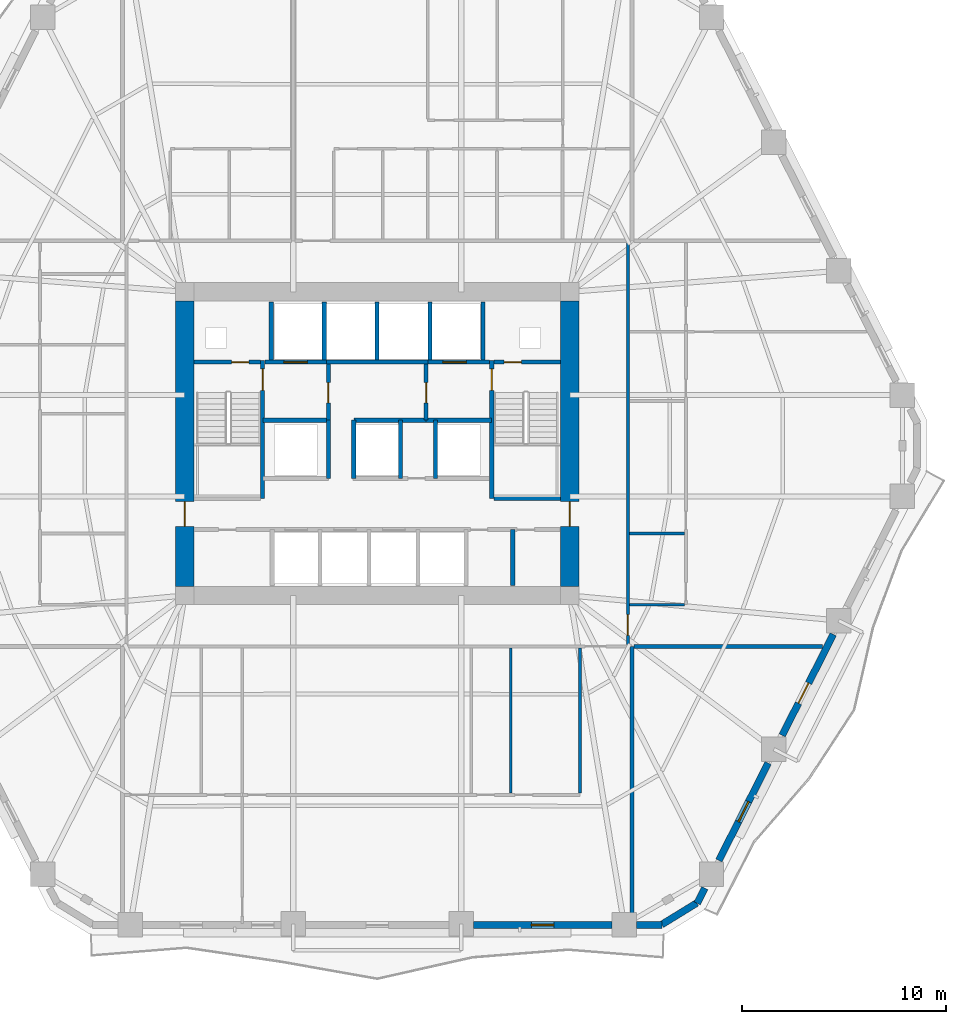
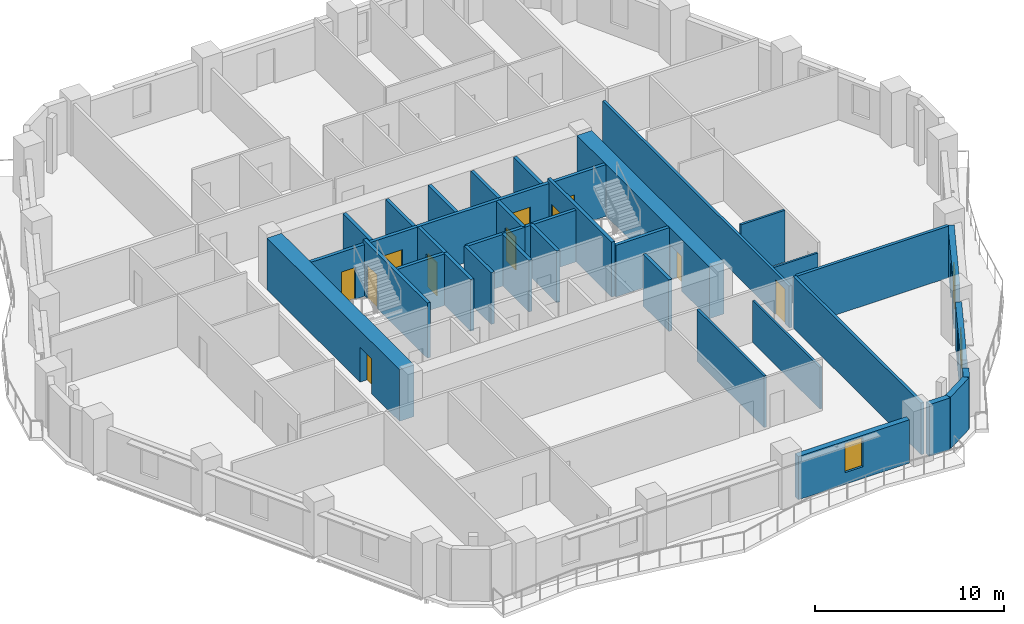
# One storey, part 5 of 13: 38 walls, 12 doors, 2 windows, 14 openings.
"""IFC4 building model written with IfcOpenShell, lengths in metres."""

import ifcopenshell
import ifcopenshell.guid

model = None  # the IFC model being written
_history = None  # IfcOwnerHistory: only IFC2X3 demands one
_inside = {}  # id of a spatial element -> (the spatial element, [elements in it])
_under = {}  # id of a project, library or spatial element -> (it, [spatial elements below it])
_declared = {}  # id of a project -> (the project, [libraries it declares])
_typed = {}  # id of a type object -> (the type object, [elements of that type])
_made_of = {}  # id of a material, layer set ... -> (it, [elements and type objects made of it])


def new_model(schema):
    """Start an empty IFC model of exactly this schema.

    Asked for "IFC4X3", IfcOpenShell would pick the latest addendum, in which some entities
    have other attributes; the version numbers below select the first issue.
    IFC2X3 requires an IfcOwnerHistory on every rooted entity: one is made here for all.
    """
    global model, _history
    if schema == "IFC4X3":
        model = ifcopenshell.file(schema_version=(4, 3, 0, 0))
    else:
        model = ifcopenshell.file(schema=schema)
    _inside.clear()
    _under.clear()
    _declared.clear()
    _typed.clear()
    _made_of.clear()
    _history = None
    if model.schema == "IFC2X3":
        org = make("IfcOrganization", Name="unknown")
        user = make(
            "IfcPersonAndOrganization",
            ThePerson=make("IfcPerson", FamilyName="unknown"),
            TheOrganization=org,
        )
        app = make(
            "IfcApplication",
            ApplicationDeveloper=org,
            Version="unknown",
            ApplicationFullName="unknown",
            ApplicationIdentifier="unknown",
        )
        _history = make(
            "IfcOwnerHistory",
            OwningUser=user,
            OwningApplication=app,
            ChangeAction="ADDED",
            CreationDate=0,
        )
    return model


def make(cls, **values):
    """One entity of the class cls with the attributes given. An attribute that is None is left unset."""
    return model.create_entity(
        cls, **{name: value for name, value in values.items() if value is not None}
    )


def rooted(cls, **values):
    """An entity with a GlobalId (a new one), such as an element, a storey or a relation."""
    return make(cls, GlobalId=ifcopenshell.guid.new(), OwnerHistory=_history, **values)


def si_unit(unit_type, name, prefix=None):
    """IfcSIUnit, for example si_unit("LENGTHUNIT", "METRE", prefix="MILLI")."""
    return make("IfcSIUnit", UnitType=unit_type, Prefix=prefix, Name=name)


def assignment(units):
    """IfcUnitAssignment: the units of a project."""
    return None if units is None else make("IfcUnitAssignment", Units=units)


def point(xyz):
    """IfcCartesianPoint."""
    return None if xyz is None else make("IfcCartesianPoint", Coordinates=xyz)


def direction(xyz):
    """IfcDirection."""
    return None if xyz is None else make("IfcDirection", DirectionRatios=xyz)


def frame(location, z_axis=None, x_axis=None):
    """IfcAxis2Placement3D, a coordinate frame: its origin and axes. An axis left out is left unset."""
    return make(
        "IfcAxis2Placement3D",
        Location=point(location),
        Axis=direction(z_axis),
        RefDirection=direction(x_axis),
    )


def frame_2d(location, x_axis=None):
    """IfcAxis2Placement2D, a coordinate frame in the plane: its origin and x axis."""
    return make(
        "IfcAxis2Placement2D", Location=point(location), RefDirection=direction(x_axis)
    )


def origin():
    """The frame at (0, 0, 0) with its axes left unset."""
    return frame((0.0, 0.0, 0.0))


def place(relative_to, where):
    """IfcLocalPlacement: puts the frame where relative to a parent placement (None: the world)."""
    return make(
        "IfcLocalPlacement", PlacementRelTo=relative_to, RelativePlacement=where
    )


def context(
    kind, dimensions, precision=None, world=None, true_north=None, identifier=None
):
    """IfcGeometricRepresentationContext, for example the 3D "Model" context."""
    return make(
        "IfcGeometricRepresentationContext",
        ContextIdentifier=identifier,
        ContextType=kind,
        CoordinateSpaceDimension=dimensions,
        Precision=precision,
        WorldCoordinateSystem=world,
        TrueNorth=true_north,
    )


def subcontext(parent, identifier, kind, view, scale=None):
    """IfcGeometricRepresentationSubContext, for example "Body" below "Model"."""
    return make(
        "IfcGeometricRepresentationSubContext",
        ContextIdentifier=identifier,
        ContextType=kind,
        ParentContext=parent,
        TargetScale=scale,
        TargetView=view,
    )


def project(units=None, contexts=None):
    """IfcProject with its units and contexts."""
    return rooted(
        "IfcProject",
        Name="project",
        RepresentationContexts=contexts,
        UnitsInContext=assignment(units),
    )


def spatial(cls, under=None, at=None, **own):
    """A site, building, storey or space (cls), placed at a placement, below another one or the project."""
    s = rooted(cls, ObjectPlacement=at, **own)
    if under is not None:
        _under.setdefault(under.id(), (under, []))[1].append(s)
    return s


def profile(cls, at=None, kind="AREA", **sizes):
    """A parametric profile (cls). Its sizes go by their IFC names, for example OverallWidth=200.0."""
    return make(cls, ProfileType=kind, Position=at, **sizes)


def rectangle(**sizes):
    """IfcRectangleProfileDef."""
    return profile("IfcRectangleProfileDef", **sizes)


def extrude(swept, where, along, depth):
    """IfcExtrudedAreaSolid: the profile swept, set in the frame where, extruded along a direction by depth."""
    return make(
        "IfcExtrudedAreaSolid",
        SweptArea=swept,
        Position=where,
        ExtrudedDirection=direction(along),
        Depth=depth,
    )


def shape(context_of_items, identifier, shape_type, items):
    """IfcShapeRepresentation: the items that make up one representation, for example the "Body"."""
    return make(
        "IfcShapeRepresentation",
        ContextOfItems=context_of_items,
        RepresentationIdentifier=identifier,
        RepresentationType=shape_type,
        Items=items,
    )


def material(Name=None, Category=None):
    """IfcMaterial."""
    return make("IfcMaterial", Name=Name, Category=Category)


def layer(
    of_material, thickness, ventilated=None, Name=None, Category=None, Priority=None
):
    """IfcMaterialLayer: one layer of a wall or slab, of a material (None: an air gap)."""
    return make(
        "IfcMaterialLayer",
        Material=of_material,
        LayerThickness=thickness,
        IsVentilated=ventilated,
        Name=Name,
        Category=Category,
        Priority=Priority,
    )


def layer_set(layers, Name=None):
    """IfcMaterialLayerSet."""
    return make("IfcMaterialLayerSet", MaterialLayers=layers, LayerSetName=Name)


def made_of(thing, what):
    """Note that an element or type object is made of a material, layer set ...; save() writes the relation."""
    if what is not None:
        _made_of.setdefault(what.id(), (what, []))[1].append(thing)
    return thing


def type_object(cls, material=None, **own):
    """A type object (cls), such as IfcWallType, which elements share."""
    return made_of(rooted(cls, **own), material)


def element(
    cls,
    number,
    at=None,
    inside=None,
    cuts=None,
    type_object=None,
    material=None,
    context=None,
    identifier="Body",
    shape_type=None,
    held_by="IfcProductDefinitionShape",
    body=None,
    shapes=None,
    **own,
):
    """One element of the class cls, such as IfcWall. Its Tag is "e" and its number.

    at: its placement. inside: the storey or other place that contains it. cuts: it is an
    opening in that element (IfcRelVoidsElement). A single representation is given by context,
    identifier, shape_type and body (its items); several are given by shapes. held_by: the class
    of the entity that holds the representations. save() writes the other relations.
    """
    e = rooted(cls, Tag="e%d" % number, ObjectPlacement=at, **own)
    if body is not None:
        shapes = [shape(context, identifier, shape_type, body)]
    if shapes is not None:
        e.Representation = make(held_by, Representations=shapes)
    if inside is not None:
        _inside.setdefault(inside.id(), (inside, []))[1].append(e)
    if cuts is not None:
        rooted(
            "IfcRelVoidsElement", RelatingBuildingElement=cuts, RelatedOpeningElement=e
        )
    if type_object is not None:
        _typed.setdefault(type_object.id(), (type_object, []))[1].append(e)
    return made_of(e, material)


def fill(opening, filler):
    """IfcRelFillsElement: the door or window that sits in an opening."""
    return rooted(
        "IfcRelFillsElement",
        RelatingOpeningElement=opening,
        RelatedBuildingElement=filler,
    )


def aggregate(whole, parts):
    """IfcRelAggregates: a whole, such as a stair, and the parts it consists of."""
    return rooted("IfcRelAggregates", RelatingObject=whole, RelatedObjects=parts)


def save(model, path):
    """Write the relations noted so far, then the file.

    IfcRelAggregates (storeys below a building ...), IfcRelContainedInSpatialStructure (elements
    in a storey), IfcRelDefinesByType, IfcRelAssociatesMaterial and IfcRelDeclares: one each for
    every whole, place, type object, material and project.
    """
    for whole, parts in _under.values():
        aggregate(whole, parts)
    for where, things in _inside.values():
        rooted(
            "IfcRelContainedInSpatialStructure",
            RelatedElements=things,
            RelatingStructure=where,
        )
    for kind, things in _typed.values():
        rooted("IfcRelDefinesByType", RelatedObjects=things, RelatingType=kind)
    for what, things in _made_of.values():
        rooted("IfcRelAssociatesMaterial", RelatedObjects=things, RelatingMaterial=what)
    for by, libraries in _declared.values():
        rooted("IfcRelDeclares", RelatingContext=by, RelatedDefinitions=libraries)
    model.write(path)


model = new_model("IFC4")

# Units and contexts
model_context = context("Model", 3, precision=1e-05, world=origin(), true_north=direction((0.0, 1.0)))
body_context = subcontext(model_context, "Body", "Model", "MODEL_VIEW")
ifc_project = project(units=[si_unit("LENGTHUNIT", "METRE"), si_unit("AREAUNIT", "SQUARE_METRE"), si_unit("VOLUMEUNIT", "CUBIC_METRE"), si_unit("PLANEANGLEUNIT", "RADIAN"), si_unit("MASSUNIT", "GRAM", prefix="KILO")], contexts=[model_context])

# Site, building, storey
site_placement = place(None, origin())
site = spatial("IfcSite", under=ifc_project, at=site_placement, CompositionType="ELEMENT")
building_placement = place(site_placement, origin())
building = spatial("IfcBuilding", under=site, at=building_placement, Name="Cinnabar Lancet Tower", CompositionType="ELEMENT")
storey_placement = place(building_placement, frame((0.0, 0.0, 49.75)))
storey = spatial("IfcBuildingStorey", under=building, at=storey_placement, Name="L12", CompositionType="ELEMENT", Elevation=49.75)

# Wall, opening, door
ifc_material_1 = material(Name="Acoustic twin-stud gypsum partition", Category="gypsum")
ifc_layer_1 = layer(ifc_material_1, 0.159912109375)
ifc_layer_set_1 = layer_set([ifc_layer_1], Name="Acoustic twin-stud gypsum partition")
wall_type_1 = type_object("IfcWallType", Name="ARC-WL-CORR-160", PredefinedType="PARTITIONING", material=ifc_layer_set_1)
wall_1_placement = place(storey_placement, frame((44.699951171875, 16.044921875, 0.0), z_axis=(0.0, 0.0, 1.0), x_axis=(0.0, 1.0, 0.0)))
wall_1 = element("IfcWall", 1, at=wall_1_placement, inside=storey, type_object=wall_type_1, Name="UW-L12-E01-COR", PredefinedType="PARTITIONING", context=body_context, shape_type="SweptSolid", body=[
    extrude(rectangle(XDim=19.7099609375, YDim=0.159912109375, at=frame_2d((9.85498046875, 0.0))), origin(), (0.0, 0.0, 1.0), 2.699951171875),
])
opening_1_placement = place(wall_1_placement, frame((0.449951171875, 0.0, 0.0)))
opening_1 = element("IfcOpeningElement", 2, at=opening_1_placement, cuts=wall_1, Name="Opening UD-01", PredefinedType="OPENING", context=body_context, shape_type="SweptSolid", body=[
    extrude(rectangle(XDim=1.02001953125, YDim=2.25, at=frame_2d((0.510009765625, 1.125))), frame((0.0, 0.08984375, 0.0), z_axis=(0.0, -1.0, 0.0), x_axis=(1.0, 0.0, 0.0)), (0.0, 0.0, 1.0), 0.179931640625),
])
ifc_material_2 = material(Name="Solid timber fire-rated apartment entrance door", Category="wood")
door_type_1 = type_object("IfcDoorType", Name="ARC-DR-UNIT", OperationType="NOTDEFINED", PredefinedType="DOOR", material=ifc_material_2)
door_1_placement = place(opening_1_placement, origin())
door_1 = element("IfcDoor", 3, at=door_1_placement, inside=storey, type_object=door_type_1, Name="DR-L12-E01-ENT", OperationType="SINGLE_SWING_LEFT", OverallHeight=2.25, OverallWidth=1.02001953125, PredefinedType="DOOR", context=body_context, shape_type="SweptSolid", body=[
    extrude(rectangle(XDim=1.02001953125, YDim=2.25, at=frame_2d((0.510009765625, 1.125))), frame((0.0, 0.02490234375, 0.0), z_axis=(0.0, -1.0, 0.0), x_axis=(1.0, 0.0, 0.0)), (0.0, 0.0, 1.0), 0.050048828125),
])
fill(opening_1, door_1)

# Walls
ifc_material_3 = material(Name="Fire-rated twin-frame acoustic drywall", Category="gypsum")
ifc_layer_2 = layer(ifc_material_3, 0.179931640625)
ifc_layer_set_2 = layer_set([ifc_layer_2], Name="Fire-rated twin-frame acoustic drywall")
wall_type_2 = type_object("IfcWallType", Name="ARC-WL-PARTY-180", PredefinedType="PARTITIONING", material=ifc_layer_set_2)
wall_2_placement = place(storey_placement, frame((44.89990234375, 2.455078125, 0.0), z_axis=(0.0, 0.0, 1.0), x_axis=(0.0, 1.0, 0.0)))
element("IfcWall", 4, at=wall_2_placement, inside=storey, type_object=wall_type_2, Name="PW-L12-SPTY-449", PredefinedType="PARTITIONING", context=body_context, shape_type="SweptSolid", body=[
    extrude(rectangle(XDim=13.494873046875, YDim=0.179931640625, at=frame_2d((6.74755859375, 0.0))), origin(), (0.0, 0.0, 1.0), 3.330078125),
])
wall_3_placement = place(storey_placement, frame((44.9951171875, 15.949951171875, 0.0), z_axis=(0.0, 0.0, 1.0), x_axis=(1.0, 0.0, 0.0)))
element("IfcWall", 5, at=wall_3_placement, inside=storey, type_object=wall_type_2, Name="PW-L12-ESB", PredefinedType="PARTITIONING", context=body_context, shape_type="SweptSolid", body=[
    extrude(rectangle(XDim=9.240966796875, YDim=0.179931640625, at=frame_2d((4.62060546875, 0.0))), origin(), (0.0, 0.0, 1.0), 3.330078125),
])
ifc_material_4 = material(Name="Autoclaved aerated concrete blockwork", Category="masonry")
ifc_layer_3 = layer(ifc_material_4, 0.199951171875)
ifc_layer_set_3 = layer_set([ifc_layer_3], Name="Autoclaved aerated concrete blockwork")
wall_type_3 = type_object("IfcWallType", Name="ARC-WL-SHAFT-200", PredefinedType="PLUMBINGWALL", material=ifc_layer_set_3)
wall_4_placement = place(storey_placement, frame((38.125, 23.199951171875, 0.0), z_axis=(0.0, 0.0, 1.0), x_axis=(1.0, 0.0, 0.0)))
element("IfcWall", 6, at=wall_4_placement, inside=storey, type_object=wall_type_3, Name="CW-ST2S-L12", PredefinedType="PLUMBINGWALL", context=body_context, shape_type="SweptSolid", body=[
    extrude(rectangle(XDim=3.27001953125, YDim=0.199951171875, at=frame_2d((1.635009765625, 0.0))), origin(), (0.0, 0.0, 1.0), 3.330078125),
])

# Wall, opening, door
wall_5_placement = place(storey_placement, frame((23.405029296875, 29.89990234375, 0.0), z_axis=(0.0, 0.0, 1.0), x_axis=(1.0, 0.0, 0.0)))
wall_5 = element("IfcWall", 7, at=wall_5_placement, inside=storey, type_object=wall_type_3, Name="CW-NSH-W-L12", PredefinedType="PLUMBINGWALL", context=body_context, shape_type="SweptSolid", body=[
    extrude(rectangle(XDim=3.27001953125, YDim=0.199951171875, at=frame_2d((1.635009765625, 0.0))), origin(), (0.0, 0.0, 1.0), 3.330078125),
])
opening_2_placement = place(wall_5_placement, frame((1.85009765625, 0.0, 0.0)))
opening_2 = element("IfcOpeningElement", 8, at=opening_2_placement, cuts=wall_5, Name="Opening PD-02", PredefinedType="OPENING", context=body_context, shape_type="SweptSolid", body=[
    extrude(rectangle(XDim=0.85009765625, YDim=2.050048828125, at=frame_2d((0.425048828125, 1.02490234375))), frame((0.0, 0.10986328125, 0.0), z_axis=(0.0, -1.0, 0.0), x_axis=(1.0, 0.0, 0.0)), (0.0, 0.0, 1.0), 0.219970703125),
])
ifc_material_5 = material(Name="Fire-rated steel riser access door", Category="steel")
door_type_2 = type_object("IfcDoorType", Name="ARC-DR-RISER", OperationType="NOTDEFINED", PredefinedType="DOOR", material=ifc_material_5)
door_2_placement = place(opening_2_placement, origin())
door_2 = element("IfcDoor", 9, at=door_2_placement, inside=storey, type_object=door_type_2, Name="L12 West Riser Access Door", OperationType="SINGLE_SWING_LEFT", OverallHeight=2.050048828125, OverallWidth=0.85009765625, PredefinedType="DOOR", context=body_context, shape_type="SweptSolid", body=[
    extrude(rectangle(XDim=0.85009765625, YDim=2.050048828125, at=frame_2d((0.425048828125, 1.02490234375))), frame((0.0, 0.02490234375, 0.0), z_axis=(0.0, -1.0, 0.0), x_axis=(1.0, 0.0, 0.0)), (0.0, 0.0, 1.0), 0.050048828125),
])
fill(opening_2, door_2)

wall_6_placement = place(storey_placement, frame((26.885009765625, 29.89990234375, 0.0), z_axis=(0.0, 0.0, 1.0), x_axis=(1.0, 0.0, 0.0)))
wall_6 = element("IfcWall", 10, at=wall_6_placement, inside=storey, type_object=wall_type_3, Name="CW-FL1-L12", PredefinedType="PLUMBINGWALL", context=body_context, shape_type="SweptSolid", body=[
    extrude(rectangle(XDim=3.014892578125, YDim=0.199951171875, at=frame_2d((1.50732421875, 0.0))), origin(), (0.0, 0.0, 1.0), 3.330078125),
])
opening_3_placement = place(wall_6_placement, frame((0.93994140625, 0.0, 0.0)))
opening_3 = element("IfcOpeningElement", 11, at=opening_3_placement, cuts=wall_6, Name="Opening LD-02", PredefinedType="OPENING", context=body_context, shape_type="SweptSolid", body=[
    extrude(rectangle(XDim=1.14990234375, YDim=2.199951171875, at=frame_2d((0.574951171875, 1.10009765625))), frame((0.0, 0.10986328125, 0.0), z_axis=(0.0, -1.0, 0.0), x_axis=(1.0, 0.0, 0.0)), (0.0, 0.0, 1.0), 0.219970703125),
])
ifc_material_6 = material(Name="Fire-rated stainless steel firefighting lift landing door", Category="steel")
door_type_3 = type_object("IfcDoorType", Name="ARC-DR-LD-FIRE", OperationType="NOTDEFINED", PredefinedType="DOOR", material=ifc_material_6)
door_3_placement = place(opening_3_placement, origin())
door_3 = element("IfcDoor", 12, at=door_3_placement, inside=storey, type_object=door_type_3, Name="L12 Firefighting Lift FL-1 Landing Door", OperationType="DOUBLE_DOOR_SLIDING", OverallHeight=2.199951171875, OverallWidth=1.14990234375, PredefinedType="DOOR", context=body_context, shape_type="SweptSolid", body=[
    extrude(rectangle(XDim=1.14990234375, YDim=2.199951171875, at=frame_2d((0.574951171875, 1.10009765625))), frame((0.0, 0.02490234375, 0.0), z_axis=(0.0, -1.0, 0.0), x_axis=(1.0, 0.0, 0.0)), (0.0, 0.0, 1.0), 0.050048828125),
])
fill(opening_3, door_3)

# Wall
wall_7_placement = place(storey_placement, frame((29.89990234375, 29.89990234375, 0.0), z_axis=(0.0, 0.0, 1.0), x_axis=(1.0, 0.0, 0.0)))
element("IfcWall", 13, at=wall_7_placement, inside=storey, type_object=wall_type_3, Name="CW-PL78-L12", PredefinedType="PLUMBINGWALL", context=body_context, shape_type="SweptSolid", body=[
    extrude(rectangle(XDim=5.0, YDim=0.199951171875, at=frame_2d((2.5, 0.0))), origin(), (0.0, 0.0, 1.0), 3.330078125),
])

# Wall, opening, door
wall_8_placement = place(storey_placement, frame((34.89990234375, 29.89990234375, 0.0), z_axis=(0.0, 0.0, 1.0), x_axis=(1.0, 0.0, 0.0)))
wall_8 = element("IfcWall", 14, at=wall_8_placement, inside=storey, type_object=wall_type_3, Name="CW-FL2-L12", PredefinedType="PLUMBINGWALL", context=body_context, shape_type="SweptSolid", body=[
    extrude(rectangle(XDim=3.01513671875, YDim=0.199951171875, at=frame_2d((1.507568359375, 0.0))), origin(), (0.0, 0.0, 1.0), 3.330078125),
])
opening_4_placement = place(wall_8_placement, frame((0.72509765625, 0.0, 0.0)))
opening_4 = element("IfcOpeningElement", 15, at=opening_4_placement, cuts=wall_8, Name="Opening LD-02", PredefinedType="OPENING", context=body_context, shape_type="SweptSolid", body=[
    extrude(rectangle(XDim=1.14990234375, YDim=2.199951171875, at=frame_2d((0.574951171875, 1.10009765625))), frame((0.0, 0.10986328125, 0.0), z_axis=(0.0, -1.0, 0.0), x_axis=(1.0, 0.0, 0.0)), (0.0, 0.0, 1.0), 0.219970703125),
])
door_4_placement = place(opening_4_placement, origin())
door_4 = element("IfcDoor", 16, at=door_4_placement, inside=storey, type_object=door_type_3, Name="L12 Firefighting Lift FL-2 Landing Door", OperationType="DOUBLE_DOOR_SLIDING", OverallHeight=2.199951171875, OverallWidth=1.14990234375, PredefinedType="DOOR", context=body_context, shape_type="SweptSolid", body=[
    extrude(rectangle(XDim=1.14990234375, YDim=2.199951171875, at=frame_2d((0.574951171875, 1.10009765625))), frame((0.0, 0.02490234375, 0.0), z_axis=(0.0, -1.0, 0.0), x_axis=(1.0, 0.0, 0.0)), (0.0, 0.0, 1.0), 0.050048828125),
])
fill(opening_4, door_4)

wall_9_placement = place(storey_placement, frame((38.125, 29.89990234375, 0.0), z_axis=(0.0, 0.0, 1.0), x_axis=(1.0, 0.0, 0.0)))
wall_9 = element("IfcWall", 17, at=wall_9_placement, inside=storey, type_object=wall_type_3, Name="CW-NSH-E-L12", PredefinedType="PLUMBINGWALL", context=body_context, shape_type="SweptSolid", body=[
    extrude(rectangle(XDim=3.27001953125, YDim=0.199951171875, at=frame_2d((1.635009765625, 0.0))), origin(), (0.0, 0.0, 1.0), 3.330078125),
])
opening_5_placement = place(wall_9_placement, frame((0.5, 0.0, 0.0)))
opening_5 = element("IfcOpeningElement", 18, at=opening_5_placement, cuts=wall_9, Name="Opening PD-02", PredefinedType="OPENING", context=body_context, shape_type="SweptSolid", body=[
    extrude(rectangle(XDim=0.85009765625, YDim=2.050048828125, at=frame_2d((0.425048828125, 1.02490234375))), frame((0.0, 0.10986328125, 0.0), z_axis=(0.0, -1.0, 0.0), x_axis=(1.0, 0.0, 0.0)), (0.0, 0.0, 1.0), 0.219970703125),
])
door_5_placement = place(opening_5_placement, origin())
door_5 = element("IfcDoor", 19, at=door_5_placement, inside=storey, type_object=door_type_2, Name="L12 East Riser Access Door", OperationType="SINGLE_SWING_RIGHT", OverallHeight=2.050048828125, OverallWidth=0.85009765625, PredefinedType="DOOR", context=body_context, shape_type="SweptSolid", body=[
    extrude(rectangle(XDim=0.85009765625, YDim=2.050048828125, at=frame_2d((0.425048828125, 1.02490234375))), frame((0.0, 0.02490234375, 0.0), z_axis=(0.0, -1.0, 0.0), x_axis=(1.0, 0.0, 0.0)), (0.0, 0.0, 1.0), 0.050048828125),
])
fill(opening_5, door_5)

# Walls
for number, where, z_axis, x_axis, name in (
    (20, (27.199951171875, 30.0, 0.0), (0.0, 0.0, 1.0), (0.0, 1.0, 0.0), "CW-NSH-D1-L12"),
    (21, (29.800048828125, 30.0, 0.0), (0.0, 0.0, 1.0), (0.0, 1.0, 0.0), "CW-NSH-D2-L12"),
    (22, (32.39990234375, 30.0, 0.0), (0.0, 0.0, 1.0), (0.0, 1.0, 0.0), "CW-NSH-D3-L12"),
    (23, (35.0, 30.0, 0.0), (0.0, 0.0, 1.0), (0.0, 1.0, 0.0), "CW-NSH-D4-L12"),
    (24, (37.60009765625, 30.0, 0.0), (0.0, 0.0, 1.0), (0.0, 1.0, 0.0), "CW-NSH-D5-L12"),
):
    element("IfcWall", number, at=place(storey_placement, frame(where, z_axis=z_axis, x_axis=x_axis)), inside=storey, type_object=wall_type_3, Name=name, PredefinedType="PLUMBINGWALL", context=body_context, shape_type="SweptSolid", body=[
        extrude(rectangle(XDim=2.85009765625, YDim=0.199951171875, at=frame_2d((1.425048828125, 0.0))), origin(), (0.0, 0.0, 1.0), 3.330078125),
    ])

# Wall, opening, door
wall_10_placement = place(storey_placement, frame((30.0, 27.050048828125, 0.0), z_axis=(0.0, 0.0, 1.0), x_axis=(0.0, 1.0, 0.0)))
wall_10 = element("IfcWall", 25, at=wall_10_placement, inside=storey, type_object=wall_type_3, Name="CW-FF1E-L12", PredefinedType="PLUMBINGWALL", context=body_context, shape_type="SweptSolid", body=[
    extrude(rectangle(XDim=2.75, YDim=0.199951171875, at=frame_2d((1.375, 0.0))), origin(), (0.0, 0.0, 1.0), 3.330078125),
])
opening_6_placement = place(wall_10_placement, frame((0.85009765625, 0.0, 0.0)))
opening_6 = element("IfcOpeningElement", 26, at=opening_6_placement, cuts=wall_10, Name="Opening FD-01", PredefinedType="OPENING", context=body_context, shape_type="SweptSolid", body=[
    extrude(rectangle(XDim=1.0, YDim=2.14990234375, at=frame_2d((0.5, 1.074951171875))), frame((0.0, 0.10986328125, 0.0), z_axis=(0.0, -1.0, 0.0), x_axis=(1.0, 0.0, 0.0)), (0.0, 0.0, 1.0), 0.219970703125),
])
ifc_material_7 = material(Name="Fire-rated timber-core lobby door", Category="wood")
door_type_4 = type_object("IfcDoorType", Name="ARC-DR-FFAL", OperationType="NOTDEFINED", PredefinedType="DOOR", material=ifc_material_7)
door_6_placement = place(opening_6_placement, origin())
door_6 = element("IfcDoor", 27, at=door_6_placement, inside=storey, type_object=door_type_4, Name="L12 FFAL-1 Lobby Fire Door", OperationType="SINGLE_SWING_RIGHT", OverallHeight=2.14990234375, OverallWidth=1.0, PredefinedType="DOOR", context=body_context, shape_type="SweptSolid", body=[
    extrude(rectangle(XDim=1.0, YDim=2.14990234375, at=frame_2d((0.5, 1.074951171875))), frame((0.0, 0.02490234375, 0.0), z_axis=(0.0, -1.0, 0.0), x_axis=(1.0, 0.0, 0.0)), (0.0, 0.0, 1.0), 0.050048828125),
])
fill(opening_6, door_6)

# Wall
wall_11_placement = place(storey_placement, frame((26.800048828125, 27.050048828125, 0.0), z_axis=(0.0, 0.0, 1.0), x_axis=(1.0, 0.0, 0.0)))
element("IfcWall", 28, at=wall_11_placement, inside=storey, type_object=wall_type_3, Name="CW-FF1S-L12", PredefinedType="PLUMBINGWALL", context=body_context, shape_type="SweptSolid", body=[
    extrude(rectangle(XDim=3.199951171875, YDim=0.199951171875, at=frame_2d((1.60009765625, 0.0))), origin(), (0.0, 0.0, 1.0), 3.330078125),
])

# Wall, opening, door
wall_12_placement = place(storey_placement, frame((34.800048828125, 27.050048828125, 0.0), z_axis=(0.0, 0.0, 1.0), x_axis=(0.0, 1.0, 0.0)))
wall_12 = element("IfcWall", 29, at=wall_12_placement, inside=storey, type_object=wall_type_3, Name="CW-FF2W-L12", PredefinedType="PLUMBINGWALL", context=body_context, shape_type="SweptSolid", body=[
    extrude(rectangle(XDim=2.75, YDim=0.199951171875, at=frame_2d((1.375, 0.0))), origin(), (0.0, 0.0, 1.0), 3.330078125),
])
opening_7_placement = place(wall_12_placement, frame((0.85009765625, 0.0, 0.0)))
opening_7 = element("IfcOpeningElement", 30, at=opening_7_placement, cuts=wall_12, Name="Opening FD-01", PredefinedType="OPENING", context=body_context, shape_type="SweptSolid", body=[
    extrude(rectangle(XDim=1.0, YDim=2.14990234375, at=frame_2d((0.5, 1.074951171875))), frame((0.0, 0.10986328125, 0.0), z_axis=(0.0, -1.0, 0.0), x_axis=(1.0, 0.0, 0.0)), (0.0, 0.0, 1.0), 0.219970703125),
])
door_7_placement = place(opening_7_placement, origin())
door_7 = element("IfcDoor", 31, at=door_7_placement, inside=storey, type_object=door_type_4, Name="L12 FFAL-2 Lobby Fire Door", OperationType="SINGLE_SWING_LEFT", OverallHeight=2.14990234375, OverallWidth=1.0, PredefinedType="DOOR", context=body_context, shape_type="SweptSolid", body=[
    extrude(rectangle(XDim=1.0, YDim=2.14990234375, at=frame_2d((0.5, 1.074951171875))), frame((0.0, 0.02490234375, 0.0), z_axis=(0.0, -1.0, 0.0), x_axis=(1.0, 0.0, 0.0)), (0.0, 0.0, 1.0), 0.050048828125),
])
fill(opening_7, door_7)

# Walls
wall_13_placement = place(storey_placement, frame((34.800048828125, 27.050048828125, 0.0), z_axis=(0.0, 0.0, 1.0), x_axis=(1.0, 0.0, 0.0)))
element("IfcWall", 32, at=wall_13_placement, inside=storey, type_object=wall_type_3, Name="CW-FF2S-L12", PredefinedType="PLUMBINGWALL", context=body_context, shape_type="SweptSolid", body=[
    extrude(rectangle(XDim=3.199951171875, YDim=0.199951171875, at=frame_2d((1.60009765625, 0.0))), origin(), (0.0, 0.0, 1.0), 3.330078125),
])
for number, where, z_axis, x_axis, name in (
    (33, (30.0, 24.199951171875, 0.0), (0.0, 0.0, 1.0), (0.0, 1.0, 0.0), "CW-PL5E-L12"),
    (34, (31.25, 24.199951171875, 0.0), (0.0, 0.0, 1.0), (0.0, 1.0, 0.0), "CW-PL9W-L12"),
    (35, (33.550048828125, 24.199951171875, 0.0), (0.0, 0.0, 1.0), (0.0, 1.0, 0.0), "CW-PL9E-L12"),
    (36, (35.25, 24.199951171875, 0.0), (0.0, 0.0, 1.0), (0.0, 1.0, 0.0), "CW-PL6W-L12"),
):
    element("IfcWall", number, at=place(storey_placement, frame(where, z_axis=z_axis, x_axis=x_axis)), inside=storey, type_object=wall_type_3, Name=name, PredefinedType="PLUMBINGWALL", context=body_context, shape_type="SweptSolid", body=[
        extrude(rectangle(XDim=2.85009765625, YDim=0.199951171875, at=frame_2d((1.425048828125, 0.0))), origin(), (0.0, 0.0, 1.0), 3.330078125),
    ])
wall_14_placement = place(storey_placement, frame((31.25, 27.050048828125, 0.0), z_axis=(0.0, 0.0, 1.0), x_axis=(1.0, 0.0, 0.0)))
element("IfcWall", 37, at=wall_14_placement, inside=storey, type_object=wall_type_3, Name="CW-PL96N-L12", PredefinedType="PLUMBINGWALL", context=body_context, shape_type="SweptSolid", body=[
    extrude(rectangle(XDim=3.550048828125, YDim=0.199951171875, at=frame_2d((1.77490234375, 0.0))), origin(), (0.0, 0.0, 1.0), 3.330078125),
])
wall_15_placement = place(storey_placement, frame((39.050048828125, 18.949951171875, 0.0), z_axis=(0.0, 0.0, 1.0), x_axis=(0.0, 1.0, 0.0)))
element("IfcWall", 38, at=wall_15_placement, inside=storey, type_object=wall_type_3, Name="CW-SB-SE-L12", PredefinedType="PLUMBINGWALL", context=body_context, shape_type="SweptSolid", body=[
    extrude(rectangle(XDim=2.72998046875, YDim=0.199951171875, at=frame_2d((1.364990234375, 0.0))), origin(), (0.0, 0.0, 1.0), 3.330078125),
])
ifc_material_8 = material(Name="Gypsum plasterboard stud partition", Category="gypsum")
ifc_layer_4 = layer(ifc_material_8, 0.125)
ifc_layer_set_4 = layer_set([ifc_layer_4], Name="Gypsum plasterboard stud partition")
wall_type_4 = type_object("IfcWallType", Name="ARC-WL-UNIT-125", PredefinedType="PARTITIONING", material=ifc_layer_set_4)
wall_16_placement = place(storey_placement, frame((42.35009765625, 8.76806640625, 0.0), z_axis=(0.0, 0.0, 1.0), x_axis=(0.0, 1.0, 0.0)))
element("IfcWall", 39, at=wall_16_placement, inside=storey, type_object=wall_type_4, Name="UW-L12-S01-FOYW", PredefinedType="PARTITIONING", context=body_context, shape_type="SweptSolid", body=[
    extrude(rectangle(XDim=7.096923828125, YDim=0.125, at=frame_2d((3.54833984375, 0.0))), origin(), (0.0, 0.0, 1.0), 2.699951171875),
])
wall_17_placement = place(storey_placement, frame((44.784912109375, 18.0, 0.0), z_axis=(0.0, 0.0, 1.0), x_axis=(1.0, 0.0, 0.0)))
element("IfcWall", 40, at=wall_17_placement, inside=storey, type_object=wall_type_4, Name="UW-L12-E01-FOYN", PredefinedType="PARTITIONING", context=body_context, shape_type="SweptSolid", body=[
    extrude(rectangle(XDim=2.68017578125, YDim=0.125, at=frame_2d((1.340087890625, 0.0))), origin(), (0.0, 0.0, 1.0), 2.699951171875),
])
ifc_material_9 = material(Name="Moisture-resistant cement-board plumbing wall", Category="masonry")
ifc_layer_5 = layer(ifc_material_9, 0.139892578125)
ifc_layer_set_5 = layer_set([ifc_layer_5], Name="Moisture-resistant cement-board plumbing wall")
wall_type_5 = type_object("IfcWallType", Name="ARC-WL-WET-140", PredefinedType="PLUMBINGWALL", material=ifc_layer_set_5)
wall_18_placement = place(storey_placement, frame((38.949951171875, 8.76806640625, 0.0), z_axis=(0.0, 0.0, 1.0), x_axis=(0.0, 1.0, 0.0)))
element("IfcWall", 41, at=wall_18_placement, inside=storey, type_object=wall_type_5, Name="UW-L12-S01-KBD", PredefinedType="PLUMBINGWALL", context=body_context, shape_type="SweptSolid", body=[
    extrude(rectangle(XDim=7.096923828125, YDim=0.139892578125, at=frame_2d((3.54833984375, 0.0))), origin(), (0.0, 0.0, 1.0), 3.330078125),
])
wall_19_placement = place(storey_placement, frame((44.784912109375, 21.5, 0.0), z_axis=(0.0, 0.0, 1.0), x_axis=(1.0, 0.0, 0.0)))
element("IfcWall", 42, at=wall_19_placement, inside=storey, type_object=wall_type_5, Name="UW-L12-E01-KDV", PredefinedType="PLUMBINGWALL", context=body_context, shape_type="SweptSolid", body=[
    extrude(rectangle(XDim=2.68017578125, YDim=0.139892578125, at=frame_2d((1.340087890625, 0.0))), origin(), (0.0, 0.0, 1.0), 3.330078125),
])
ifc_material_10 = material(Name="Cinnabar red clay brick", Category="masonry")
ifc_layer_6 = layer(ifc_material_10, 0.340087890625)
ifc_layer_set_6 = layer_set([ifc_layer_6], Name="Cinnabar red clay brick")
wall_type_6 = type_object("IfcWallType", Name="ENV-WL-BRK-RED-340", PredefinedType="STANDARD", material=ifc_layer_set_6)
wall_20_placement = place(storey_placement, frame((46.361083984375, 2.304931640625, 0.0), z_axis=(0.0, 0.0, 1.0), x_axis=(0.851816122478, 0.523840904748, 0.0)))
element("IfcWall", 43, at=wall_20_placement, inside=storey, type_object=wall_type_6, Name="L12 Chamfered Corner Brick Pier 2.1", PredefinedType="STANDARD", context=body_context, shape_type="SweptSolid", body=[
    extrude(rectangle(XDim=2.01806640625, YDim=0.340087890625, at=frame_2d((1.009033203125, 0.0))), origin(), (0.0, 0.0, 1.0), 3.330078125),
])

# Wall, opening, window
wall_21_placement = place(storey_placement, frame((37.1259765625, 2.280029296875, 0.0), z_axis=(0.0, 0.0, 1.0), x_axis=(1.0, 0.0, 0.0)))
wall_21 = element("IfcWall", 44, at=wall_21_placement, inside=storey, type_object=wall_type_6, Name="L12 Face 1 Masonry Bay Wall 4", PredefinedType="STANDARD", context=body_context, shape_type="SweptSolid", body=[
    extrude(rectangle(XDim=6.787109375, YDim=0.340087890625, at=frame_2d((3.3935546875, 0.0))), origin(), (0.0, 0.0, 1.0), 2.787109375),
])
opening_8_placement = place(wall_21_placement, frame((2.843017578125, 0.0, 0.75)))
opening_8 = element("IfcOpeningElement", 45, at=opening_8_placement, cuts=wall_21, Name="Opening WN-04", PredefinedType="OPENING", context=body_context, shape_type="SweptSolid", body=[
    extrude(rectangle(XDim=1.10009765625, YDim=1.886962890625, at=frame_2d((0.550048828125, 0.943359375))), frame((0.0, 0.179931640625, 0.0), z_axis=(0.0, -1.0, 0.0), x_axis=(1.0, 0.0, 0.0)), (0.0, 0.0, 1.0), 0.360107421875),
])
ifc_material_11 = material(Name="Thermally broken bronze-anodized aluminium tall lancet window", Category="aluminium")
window_type = type_object("IfcWindowType", Name="ENV-WN-LANCET-1100", PartitioningType="SINGLE_PANEL", PredefinedType="WINDOW", material=ifc_material_11)
window_1_placement = place(opening_8_placement, origin())
window_1 = element("IfcWindow", 46, at=window_1_placement, inside=storey, type_object=window_type, Name="L12 Face 1 Gothic Lancet Window 4", OverallHeight=1.886962890625, OverallWidth=1.10009765625, PartitioningType="SINGLE_PANEL", PredefinedType="WINDOW", context=body_context, shape_type="SweptSolid", body=[
    extrude(rectangle(XDim=1.10009765625, YDim=1.886962890625, at=frame_2d((0.550048828125, 0.943359375))), frame((0.0, 0.030029296875, 0.0), z_axis=(0.0, -1.0, 0.0), x_axis=(1.0, 0.0, 0.0)), (0.0, 0.0, 1.0), 0.06005859375),
])
fill(opening_8, window_1)

# Walls
wall_22_placement = place(storey_placement, frame((45.12109375, 2.280029296875, 0.0), z_axis=(0.0, 0.0, 1.0), x_axis=(1.0, 0.0, 0.0)))
element("IfcWall", 47, at=wall_22_placement, inside=storey, type_object=wall_type_6, Name="L12 Face 1 Masonry Bay Wall 5", PredefinedType="STANDARD", context=body_context, shape_type="SweptSolid", body=[
    extrude(rectangle(XDim=1.244873046875, YDim=0.340087890625, at=frame_2d((0.62255859375, 0.0))), origin(), (0.0, 0.0, 1.0), 3.330078125),
])
wall_23_placement = place(storey_placement, frame((48.10009765625, 3.345947265625, 0.0), z_axis=(0.0, 0.0, 1.0), x_axis=(0.45187807258, 0.892079709175, 0.0)))
element("IfcWall", 48, at=wall_23_placement, inside=storey, type_object=wall_type_6, Name="L12 Face 2 Masonry Bay Wall 1", PredefinedType="STANDARD", context=body_context, shape_type="SweptSolid", body=[
    extrude(rectangle(XDim=0.83642578125, YDim=0.340087890625, at=frame_2d((0.418212890625, 0.0))), origin(), (0.0, 0.0, 1.0), 3.330078125),
])

# Wall, opening, window
wall_24_placement = place(storey_placement, frame((49.166015625, 5.4541015625, 0.0), z_axis=(0.0, 0.0, 1.0), x_axis=(0.451697561555, 0.892171123095, 0.0)))
wall_24 = element("IfcWall", 49, at=wall_24_placement, inside=storey, type_object=wall_type_6, Name="L12 Face 2 Masonry Bay Wall 2", PredefinedType="STANDARD", context=body_context, shape_type="SweptSolid", body=[
    extrude(rectangle(XDim=5.350830078125, YDim=0.340087890625, at=frame_2d((2.67529296875, 0.0))), origin(), (0.0, 0.0, 1.0), 2.787109375),
])
opening_9_placement = place(wall_24_placement, frame((2.125, 0.0, 0.75)))
opening_9 = element("IfcOpeningElement", 50, at=opening_9_placement, cuts=wall_24, Name="Opening WN-04", PredefinedType="OPENING", context=body_context, shape_type="SweptSolid", body=[
    extrude(rectangle(XDim=1.10009765625, YDim=1.886962890625, at=frame_2d((0.550048828125, 0.943359375))), frame((0.0, 0.179931640625, 0.0), z_axis=(0.0, -1.0, 0.0), x_axis=(1.0, 0.0, 0.0)), (0.0, 0.0, 1.0), 0.360107421875),
])
window_2_placement = place(opening_9_placement, origin())
window_2 = element("IfcWindow", 51, at=window_2_placement, inside=storey, type_object=window_type, Name="L12 Face 2 Gothic Lancet Window 2", OverallHeight=1.886962890625, OverallWidth=1.10009765625, PartitioningType="SINGLE_PANEL", PredefinedType="WINDOW", context=body_context, shape_type="SweptSolid", body=[
    extrude(rectangle(XDim=1.10009765625, YDim=1.886962890625, at=frame_2d((0.550048828125, 0.943359375))), frame((0.0, 0.030029296875, 0.0), z_axis=(0.0, -1.0, 0.0), x_axis=(1.0, 0.0, 0.0)), (0.0, 0.0, 1.0), 0.06005859375),
])
fill(opening_9, window_2)

# Wall, opening, door
wall_25_placement = place(storey_placement, frame((52.27099609375, 11.590087890625, 0.0), z_axis=(0.0, 0.0, 1.0), x_axis=(0.451592100298, 0.892224509273, 0.0)))
wall_25 = element("IfcWall", 52, at=wall_25_placement, inside=storey, type_object=wall_type_6, Name="L12 Face 2 Masonry Bay Wall 3", PredefinedType="STANDARD", context=body_context, shape_type="SweptSolid", body=[
    extrude(rectangle(XDim=5.546875, YDim=0.340087890625, at=frame_2d((2.7734375, 0.0))), origin(), (0.0, 0.0, 1.0), 2.787109375),
])
opening_10_placement = place(wall_25_placement, frame((1.76806640625, 0.0, 0.0)))
opening_10 = element("IfcOpeningElement", 53, at=opening_10_placement, cuts=wall_25, Name="Opening TD-01", PredefinedType="OPENING", context=body_context, shape_type="SweptSolid", body=[
    extrude(rectangle(XDim=1.10009765625, YDim=2.25, at=frame_2d((0.550048828125, 1.125))), frame((0.0, 0.179931640625, 0.0), z_axis=(0.0, -1.0, 0.0), x_axis=(1.0, 0.0, 0.0)), (0.0, 0.0, 1.0), 0.360107421875),
])
ifc_material_12 = material(Name="Thermally broken low-E glazed balcony terrace door", Category="wood")
door_type_5 = type_object("IfcDoorType", Name="ARC-DR-BALC", OperationType="NOTDEFINED", PredefinedType="DOOR", material=ifc_material_12)
door_8_placement = place(opening_10_placement, origin())
door_8 = element("IfcDoor", 54, at=door_8_placement, inside=storey, type_object=door_type_5, Name="L12 Face 2 Glazed Terrace Door", OperationType="SINGLE_SWING_RIGHT", OverallHeight=2.25, OverallWidth=1.10009765625, PredefinedType="DOOR", context=body_context, shape_type="SweptSolid", body=[
    extrude(rectangle(XDim=1.10009765625, YDim=2.25, at=frame_2d((0.550048828125, 1.125))), frame((0.0, 0.02490234375, 0.0), z_axis=(0.0, -1.0, 0.0), x_axis=(1.0, 0.0, 0.0)), (0.0, 0.0, 1.0), 0.050048828125),
])
fill(opening_10, door_8)

ifc_material_13 = material(Name="Concrete C80/95", Category="concrete")
ifc_layer_7 = layer(ifc_material_13, 0.89990234375)
ifc_layer_set_7 = layer_set([ifc_layer_7], Name="Concrete C80/95")
wall_type_7 = type_object("IfcWallType", Name="STR-WL-CORE-900", PredefinedType="SHEAR", material=ifc_layer_set_7)
wall_26_placement = place(storey_placement, frame((22.949951171875, 18.89990234375, 0.0), z_axis=(0.0, 0.0, 1.0), x_axis=(0.0, 1.0, 0.0)))
wall_26 = element("IfcWall", 55, at=wall_26_placement, inside=storey, type_object=wall_type_7, Name="L12 Core Shear Wall W", PredefinedType="SHEAR", context=body_context, shape_type="SweptSolid", body=[
    extrude(rectangle(XDim=14.0, YDim=0.89990234375, at=frame_2d((7.0, 0.0))), origin(), (0.0, 0.0, 1.0), 3.330078125),
])
opening_11_placement = place(wall_26_placement, frame((2.93994140625, 0.0, 0.0)))
opening_11 = element("IfcOpeningElement", 56, at=opening_11_placement, cuts=wall_26, Name="Opening FD-02", PredefinedType="OPENING", context=body_context, shape_type="SweptSolid", body=[
    extrude(rectangle(XDim=1.219970703125, YDim=2.25, at=frame_2d((0.60986328125, 1.125))), frame((0.0, 0.4599609375, 0.0), z_axis=(0.0, -1.0, 0.0), x_axis=(1.0, 0.0, 0.0)), (0.0, 0.0, 1.0), 0.919921875),
])
ifc_material_14 = material(Name="Fire-rated double-vision core portal door", Category="wood")
door_type_6 = type_object("IfcDoorType", Name="ARC-DR-CPORT", OperationType="NOTDEFINED", PredefinedType="DOOR", material=ifc_material_14)
door_9_placement = place(opening_11_placement, origin())
door_9 = element("IfcDoor", 57, at=door_9_placement, inside=storey, type_object=door_type_6, Name="L12 West Core Lobby Fire Door", OperationType="SINGLE_SWING_RIGHT", OverallHeight=2.25, OverallWidth=1.219970703125, PredefinedType="DOOR", context=body_context, shape_type="SweptSolid", body=[
    extrude(rectangle(XDim=1.219970703125, YDim=2.25, at=frame_2d((0.60986328125, 1.125))), frame((0.0, 0.02490234375, 0.0), z_axis=(0.0, -1.0, 0.0), x_axis=(1.0, 0.0, 0.0)), (0.0, 0.0, 1.0), 0.050048828125),
])
fill(opening_11, door_9)

wall_27_placement = place(storey_placement, frame((41.85009765625, 18.89990234375, 0.0), z_axis=(0.0, 0.0, 1.0), x_axis=(0.0, 1.0, 0.0)))
wall_27 = element("IfcWall", 58, at=wall_27_placement, inside=storey, type_object=wall_type_7, Name="L12 Core Shear Wall E", PredefinedType="SHEAR", context=body_context, shape_type="SweptSolid", body=[
    extrude(rectangle(XDim=14.0, YDim=0.89990234375, at=frame_2d((7.0, 0.0))), origin(), (0.0, 0.0, 1.0), 3.330078125),
])
opening_12_placement = place(wall_27_placement, frame((2.93994140625, 0.0, 0.0)))
opening_12 = element("IfcOpeningElement", 59, at=opening_12_placement, cuts=wall_27, Name="Opening FD-02", PredefinedType="OPENING", context=body_context, shape_type="SweptSolid", body=[
    extrude(rectangle(XDim=1.219970703125, YDim=2.25, at=frame_2d((0.60986328125, 1.125))), frame((0.0, 0.4599609375, 0.0), z_axis=(0.0, -1.0, 0.0), x_axis=(1.0, 0.0, 0.0)), (0.0, 0.0, 1.0), 0.919921875),
])
door_10_placement = place(opening_12_placement, origin())
door_10 = element("IfcDoor", 60, at=door_10_placement, inside=storey, type_object=door_type_6, Name="L12 East Core Lobby Fire Door", OperationType="SINGLE_SWING_LEFT", OverallHeight=2.25, OverallWidth=1.219970703125, PredefinedType="DOOR", context=body_context, shape_type="SweptSolid", body=[
    extrude(rectangle(XDim=1.219970703125, YDim=2.25, at=frame_2d((0.60986328125, 1.125))), frame((0.0, 0.02490234375, 0.0), z_axis=(0.0, -1.0, 0.0), x_axis=(1.0, 0.0, 0.0)), (0.0, 0.0, 1.0), 0.050048828125),
])
fill(opening_12, door_10)

ifc_material_15 = material(Name="Concrete C50/60", Category="concrete")
ifc_layer_8 = layer(ifc_material_15, 0.199951171875)
ifc_layer_set_8 = layer_set([ifc_layer_8], Name="Concrete C50/60")
wall_type_8 = type_object("IfcWallType", Name="STR-WL-STAIR-200", PredefinedType="SHEAR", material=ifc_layer_set_8)
wall_28_placement = place(storey_placement, frame((26.780029296875, 23.199951171875, 0.0), z_axis=(0.0, 0.0, 1.0), x_axis=(0.0, 1.0, 0.0)))
wall_28 = element("IfcWall", 61, at=wall_28_placement, inside=storey, type_object=wall_type_8, Name="L12 Stair ST-1 Structural Enclosure Wall", PredefinedType="SHEAR", context=body_context, shape_type="SweptSolid", body=[
    extrude(rectangle(XDim=6.780029296875, YDim=0.199951171875, at=frame_2d((3.39013671875, 0.0))), origin(), (0.0, 0.0, 1.0), 3.550048828125),
])
opening_13_placement = place(wall_28_placement, frame((5.320068359375, 0.0, 0.0)))
opening_13 = element("IfcOpeningElement", 62, at=opening_13_placement, cuts=wall_28, Name="Opening SD-01", PredefinedType="OPENING", context=body_context, shape_type="SweptSolid", body=[
    extrude(rectangle(XDim=1.050048828125, YDim=2.14990234375, at=frame_2d((0.52490234375, 1.074951171875))), frame((0.0, 0.10986328125, 0.0), z_axis=(0.0, -1.0, 0.0), x_axis=(1.0, 0.0, 0.0)), (0.0, 0.0, 1.0), 0.219970703125),
])
ifc_material_16 = material(Name="Fire-rated steel stair exit door", Category="steel")
door_type_7 = type_object("IfcDoorType", Name="ARC-DR-STAIR", OperationType="NOTDEFINED", PredefinedType="DOOR", material=ifc_material_16)
door_11_placement = place(opening_13_placement, origin())
door_11 = element("IfcDoor", 63, at=door_11_placement, inside=storey, type_object=door_type_7, Name="L12 Stair ST-1 Fire Door", OperationType="SINGLE_SWING_LEFT", OverallHeight=2.14990234375, OverallWidth=1.050048828125, PredefinedType="DOOR", context=body_context, shape_type="SweptSolid", body=[
    extrude(rectangle(XDim=1.050048828125, YDim=2.14990234375, at=frame_2d((0.52490234375, 1.074951171875))), frame((0.0, 0.02490234375, 0.0), z_axis=(0.0, -1.0, 0.0), x_axis=(1.0, 0.0, 0.0)), (0.0, 0.0, 1.0), 0.050048828125),
])
fill(opening_13, door_11)

wall_29_placement = place(storey_placement, frame((38.02001953125, 23.199951171875, 0.0), z_axis=(0.0, 0.0, 1.0), x_axis=(0.0, 1.0, 0.0)))
wall_29 = element("IfcWall", 64, at=wall_29_placement, inside=storey, type_object=wall_type_8, Name="L12 Stair ST-2 Structural Enclosure Wall", PredefinedType="SHEAR", context=body_context, shape_type="SweptSolid", body=[
    extrude(rectangle(XDim=6.780029296875, YDim=0.199951171875, at=frame_2d((3.39013671875, 0.0))), origin(), (0.0, 0.0, 1.0), 3.550048828125),
])
opening_14_placement = place(wall_29_placement, frame((5.320068359375, 0.0, 0.0)))
opening_14 = element("IfcOpeningElement", 65, at=opening_14_placement, cuts=wall_29, Name="Opening SD-01", PredefinedType="OPENING", context=body_context, shape_type="SweptSolid", body=[
    extrude(rectangle(XDim=1.050048828125, YDim=2.14990234375, at=frame_2d((0.52490234375, 1.074951171875))), frame((0.0, 0.10986328125, 0.0), z_axis=(0.0, -1.0, 0.0), x_axis=(1.0, 0.0, 0.0)), (0.0, 0.0, 1.0), 0.219970703125),
])
door_12_placement = place(opening_14_placement, origin())
door_12 = element("IfcDoor", 66, at=door_12_placement, inside=storey, type_object=door_type_7, Name="L12 Stair ST-2 Fire Door", OperationType="SINGLE_SWING_RIGHT", OverallHeight=2.14990234375, OverallWidth=1.050048828125, PredefinedType="DOOR", context=body_context, shape_type="SweptSolid", body=[
    extrude(rectangle(XDim=1.050048828125, YDim=2.14990234375, at=frame_2d((0.52490234375, 1.074951171875))), frame((0.0, 0.02490234375, 0.0), z_axis=(0.0, -1.0, 0.0), x_axis=(1.0, 0.0, 0.0)), (0.0, 0.0, 1.0), 0.050048828125),
])
fill(opening_14, door_12)

save(model, "model.ifc")
